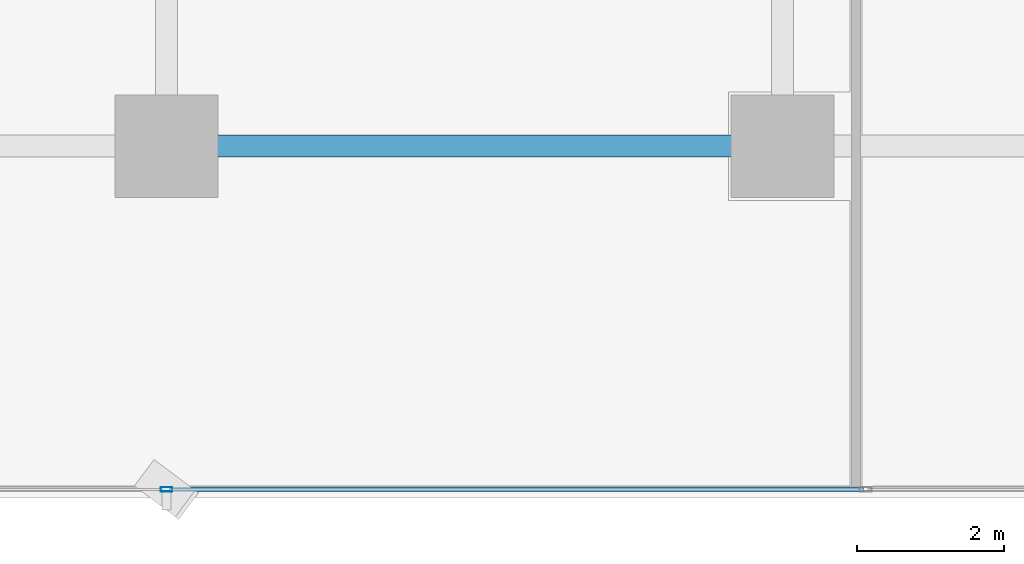
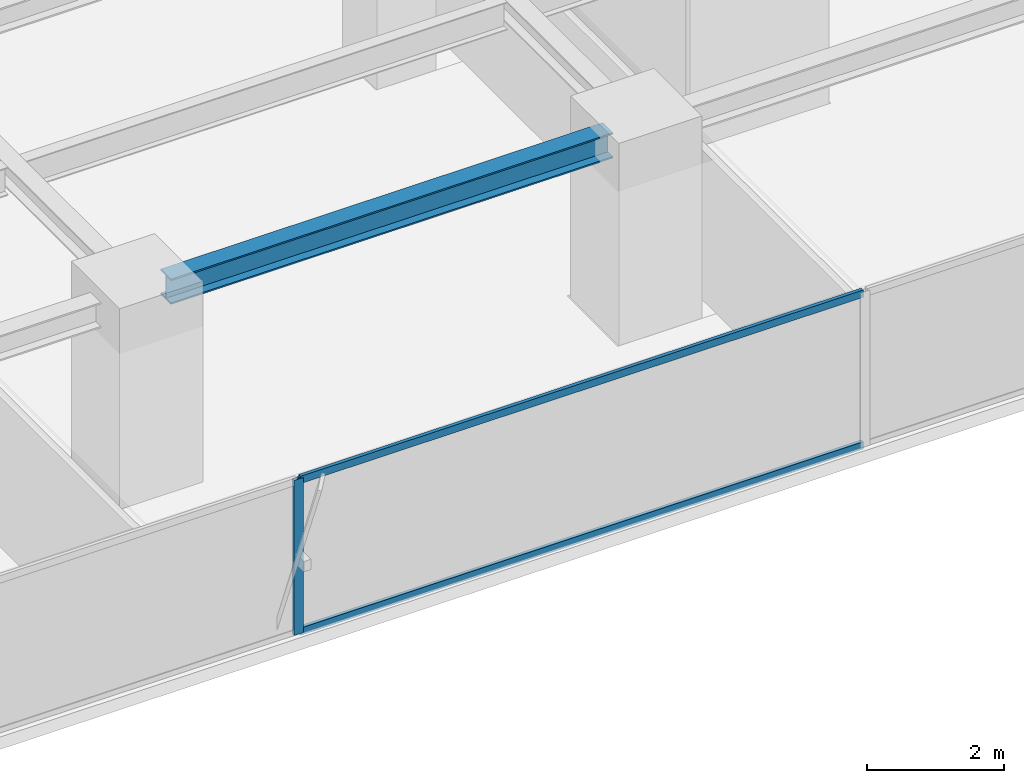
# One storey, part 5 of 27: 3 members, 1 beam, 1 element without a shape of its own.
"""IFC4 building model written with IfcOpenShell, lengths in metres."""

from ifc_helpers import new_model, si_unit, direction, frame, origin, origin_2d, place, context, subcontext, project, spatial, hollow_rectangle, i_section, extrude, source, transform, mapped, material, layer, layer_set, material_profile, profile_set, type_object, element, aggregate, save


model = new_model("IFC4")

# Units and contexts
model_context = context("Model", 3, precision=1e-05, world=origin(), true_north=direction((0.0, 1.0)))
body_context = subcontext(model_context, "Body", "Model", "MODEL_VIEW")
ifc_project = project(units=[si_unit("LENGTHUNIT", "METRE"), si_unit("AREAUNIT", "SQUARE_METRE"), si_unit("VOLUMEUNIT", "CUBIC_METRE"), si_unit("PLANEANGLEUNIT", "RADIAN"), si_unit("MASSUNIT", "GRAM", prefix="KILO")], contexts=[model_context])

# Site, building, storey
site_placement = place(None, origin())
site = spatial("IfcSite", under=ifc_project, at=site_placement, CompositionType="ELEMENT")
building_placement = place(site_placement, origin())
building = spatial("IfcBuilding", under=site, at=building_placement, Name="Sumidabori Civic Tower", CompositionType="ELEMENT")
storey_placement = place(building_placement, frame((0.0, 0.0, 135.199951171875)))
storey = spatial("IfcBuildingStorey", under=building, at=storey_placement, Name="L34", CompositionType="ELEMENT", Elevation=135.199951171875)

# Beam
ifc_material_1 = material(Name="Steel SN490", Category="steel")
ifc_material_profile_1 = material_profile(ifc_material_1, i_section(OverallWidth=0.300048828125, OverallDepth=0.449951171875, WebThickness=0.013916015625, FlangeThickness=0.02587890625, at=origin_2d()), Name="HE 450 B")
ifc_profile_set_1 = profile_set([ifc_material_profile_1], Name="Steel SN490")
beam_type = type_object("IfcBeamType", Name="BM-GIRD-450", PredefinedType="BEAM", material=ifc_profile_set_1)
shared_shape_1 = source(origin(), body_context, "Body", "SweptSolid", [
    extrude(i_section(OverallWidth=0.300048828125, OverallDepth=0.449951171875, WebThickness=0.013916015625, FlangeThickness=0.02587890625, at=origin_2d()), origin(), (0.0, 0.0, 1.0), 7.43994140625),
])
beam_placement = place(storey_placement, frame((0.47998046875, -18.0, 3.155029296875), z_axis=(1.0, 0.0, 0.0), x_axis=(0.0, 1.0, 0.0)))
element("IfcBeam", 1, at=beam_placement, inside=storey, type_object=beam_type, Name="Primary Girder L34 GX-03", PredefinedType="BEAM", context=body_context, shape_type="MappedRepresentation", body=[
    mapped(shared_shape_1, transform((0.0, 0.0, 0.0), x_axis=(1.0, 0.0, 0.0), y_axis=(0.0, 1.0, 0.0), z_axis=(0.0, 0.0, 1.0), scale=1.0)),
])

# Curtain wall, members
ifc_material_2 = material(Name="Anodised Bronze Aluminium AW-6063-T6", Category="aluminium")
ifc_layer = layer(ifc_material_2, 0.179931640625, Name="Anodised Bronze Aluminium AW-6063-T6")
ifc_layer_set = layer_set([ifc_layer], Name="Anodised Bronze Aluminium AW-6063-T6")
curtain_wall_type = type_object("IfcCurtainWallType", Name="CW-SYS-3", PredefinedType="NOTDEFINED", material=ifc_layer_set)
curtain_wall_placement = place(storey_placement, origin())
curtain_wall = element("IfcCurtainWall", 2, at=curtain_wall_placement, inside=storey, type_object=curtain_wall_type, Name="Curtain Wall CW:L34:R01", PredefinedType="NOTDEFINED")
ifc_material_profile_2 = material_profile(ifc_material_2, hollow_rectangle(XDim=0.06494140625, YDim=0.159912109375, WallThickness=0.0048828125, at=origin_2d()), Name="ALU MULLION 160x65")
ifc_profile_set_2 = profile_set([ifc_material_profile_2], Name="Anodised Bronze Aluminium AW-6063-T6")
member_type_1 = type_object("IfcMemberType", Name="CW-MUL-160", PredefinedType="MULLION", material=ifc_profile_set_2)
shared_shape_2 = source(origin(), body_context, "Body", "SweptSolid", [
    extrude(hollow_rectangle(XDim=0.06494140625, YDim=0.159912109375, WallThickness=0.0048828125, at=origin_2d()), origin(), (0.0, 0.0, 1.0), 2.760009765625),
])
member_1_placement = place(storey_placement, frame((0.0, -22.679931640625, 0.0), z_axis=(0.0, 0.0, 1.0), x_axis=(0.0, 1.0, 0.0)))
member_1 = element("IfcMember", 3, at=member_1_placement, type_object=member_type_1, Name="CW-3 mullion 3", PredefinedType="MULLION", context=body_context, shape_type="MappedRepresentation", body=[
    mapped(shared_shape_2, transform((0.0, 0.0, 0.0), x_axis=(1.0, 0.0, 0.0), y_axis=(0.0, 1.0, 0.0), z_axis=(0.0, 0.0, 1.0), scale=1.0)),
])
ifc_material_profile_3 = material_profile(ifc_material_2, hollow_rectangle(XDim=0.06005859375, YDim=0.1298828125, WallThickness=0.0048828125, at=origin_2d()), Name="ALU TRANSOM 130x60")
ifc_profile_set_3 = profile_set([ifc_material_profile_3], Name="Anodised Bronze Aluminium AW-6063-T6")
member_type_2 = type_object("IfcMemberType", Name="CW-TRN-130", PredefinedType="USERDEFINED", material=ifc_profile_set_3)
shared_shape_3 = source(origin(), body_context, "Body", "SweptSolid", [
    extrude(hollow_rectangle(XDim=0.06005859375, YDim=0.1298828125, WallThickness=0.0048828125, at=origin_2d()), origin(), (0.0, 0.0, 1.0), 9.469970703125),
])
member_2_placement = place(storey_placement, frame((0.032470703125, -22.679931640625, 0.030029296875), z_axis=(1.0, 0.0, 0.0), x_axis=(0.0, 1.0, 0.0)))
member_2 = element("IfcMember", 4, at=member_2_placement, type_object=member_type_2, Name="CW-3 transom 3.1", ObjectType="TRANSOM", PredefinedType="USERDEFINED", context=body_context, shape_type="MappedRepresentation", body=[
    mapped(shared_shape_3, transform((0.0, 0.0, 0.0), x_axis=(1.0, 0.0, 0.0), y_axis=(0.0, 1.0, 0.0), z_axis=(0.0, 0.0, 1.0), scale=1.0)),
])
member_3_placement = place(storey_placement, frame((0.032470703125, -22.679931640625, 2.72998046875), z_axis=(1.0, 0.0, 0.0), x_axis=(0.0, 1.0, 0.0)))
member_3 = element("IfcMember", 5, at=member_3_placement, type_object=member_type_2, Name="CW-3 transom 3.2", ObjectType="TRANSOM", PredefinedType="USERDEFINED", context=body_context, shape_type="MappedRepresentation", body=[
    mapped(shared_shape_3, transform((0.0, 0.0, 0.0), x_axis=(1.0, 0.0, 0.0), y_axis=(0.0, 1.0, 0.0), z_axis=(0.0, 0.0, 1.0), scale=1.0)),
])
aggregate(curtain_wall, [member_1, member_2, member_3])

save(model, "model.ifc")
